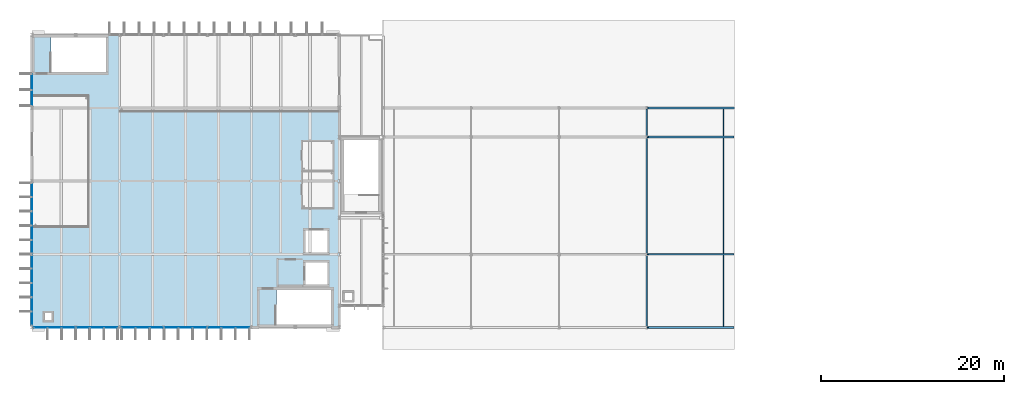
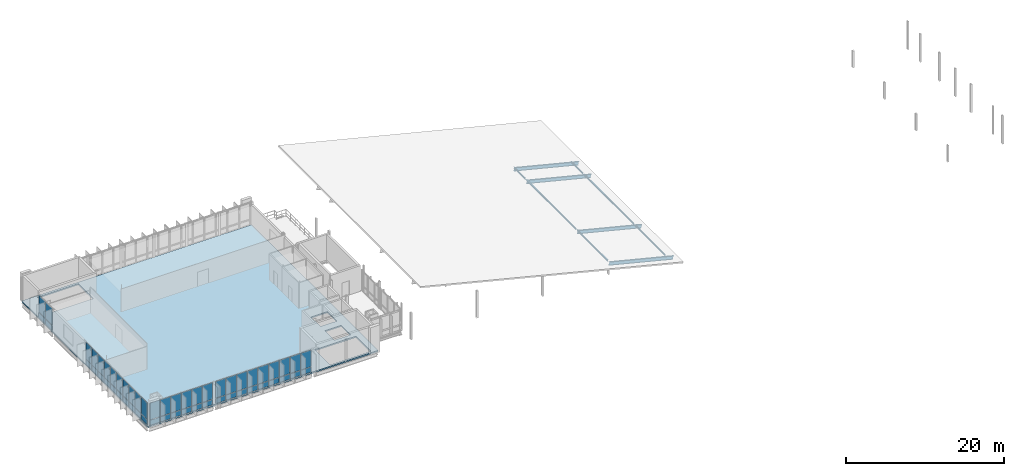
# One storey, part 12 of 22: 54 plates, 10 members, 1 slab, 4 elements without a shape of their own.
"""IFC4 building model written with IfcOpenShell, lengths in metres."""

from ifc_helpers import new_model, si_unit, direction, frame, origin, origin_2d, place, context, subcontext, project, spatial, polyline, rectangle, i_section, outline, extrude, material, layer, layer_set, material_profile, profile_set, type_object, element, aggregate, save


model = new_model("IFC4")

# Units and contexts
model_context = context("Model", 3, precision=1e-05, world=origin(), true_north=direction((0.0, 1.0)))
body_context = subcontext(model_context, "Body", "Model", "MODEL_VIEW")
ifc_project = project(units=[si_unit("LENGTHUNIT", "METRE"), si_unit("AREAUNIT", "SQUARE_METRE"), si_unit("VOLUMEUNIT", "CUBIC_METRE"), si_unit("PLANEANGLEUNIT", "RADIAN"), si_unit("MASSUNIT", "GRAM", prefix="KILO")], contexts=[model_context])

# Site, building, storey
site_placement = place(None, origin())
site = spatial("IfcSite", under=ifc_project, at=site_placement, CompositionType="ELEMENT")
building_placement = place(site_placement, origin())
building = spatial("IfcBuilding", under=site, at=building_placement, Name="Dunescarp Central Library", CompositionType="ELEMENT")
storey_placement = place(building_placement, frame((0.0, 0.0, 27.60009765625)))
storey = spatial("IfcBuildingStorey", under=building, at=storey_placement, Name="L06", CompositionType="ELEMENT", Elevation=27.60009765625)

# Members
ifc_material_1 = material(Name="Steel S355JR", Category="steel")
ifc_material_profile_1 = material_profile(ifc_material_1, i_section(OverallWidth=0.1201171875, OverallDepth=0.239990234375, WebThickness=0.006103515625, FlangeThickness=0.009765625, at=origin_2d()), Name="IPE 240")
ifc_profile_set_1 = profile_set([ifc_material_profile_1], Name="Steel S355JR")
member_type_1 = type_object("IfcMemberType", Name="STR-PR-IPE240", PredefinedType="PURLIN", material=ifc_profile_set_1)
member_1_placement = place(storey_placement, frame((67.199951171875, 4.902099609375, 2.018798828125), z_axis=(0.0, 1.0, 0.0), x_axis=(-1.0, 0.0, 0.0)))
element("IfcMember", 1, at=member_1_placement, inside=storey, type_object=member_type_1, Name="V2 roof purlin PR-V2-010", PredefinedType="PURLIN", context=body_context, shape_type="SweptSolid", body=[
    extrude(i_section(OverallWidth=0.1201171875, OverallDepth=0.239990234375, WebThickness=0.006103515625, FlangeThickness=0.009765625, at=origin_2d()), origin(), (0.0, 0.0, 1.0), 7.7958984375),
])
member_2_placement = place(storey_placement, frame((67.199951171875, 12.902099609375, 2.018798828125), z_axis=(0.0, 1.0, 0.0), x_axis=(-1.0, 0.0, 0.0)))
element("IfcMember", 2, at=member_2_placement, inside=storey, type_object=member_type_1, Name="V2 roof purlin PR-V2-011", PredefinedType="PURLIN", context=body_context, shape_type="SweptSolid", body=[
    extrude(i_section(OverallWidth=0.1201171875, OverallDepth=0.239990234375, WebThickness=0.006103515625, FlangeThickness=0.009765625, at=origin_2d()), origin(), (0.0, 0.0, 1.0), 12.595947265625),
])
member_3_placement = place(storey_placement, frame((67.199951171875, 25.701904296875, 2.018798828125), z_axis=(0.0, 1.0, 0.0), x_axis=(-1.0, 0.0, 0.0)))
element("IfcMember", 3, at=member_3_placement, inside=storey, type_object=member_type_1, Name="V2 roof purlin PR-V2-012", PredefinedType="PURLIN", context=body_context, shape_type="SweptSolid", body=[
    extrude(i_section(OverallWidth=0.1201171875, OverallDepth=0.239990234375, WebThickness=0.006103515625, FlangeThickness=0.009765625, at=origin_2d()), origin(), (0.0, 0.0, 1.0), 2.99609375),
])
member_4_placement = place(storey_placement, frame((75.60009765625, 4.902099609375, -0.0810546875), z_axis=(0.0, 1.0, 0.0), x_axis=(-1.0, 0.0, 0.0)))
element("IfcMember", 4, at=member_4_placement, inside=storey, type_object=member_type_1, Name="V2 roof purlin PR-V2-013", PredefinedType="PURLIN", context=body_context, shape_type="SweptSolid", body=[
    extrude(i_section(OverallWidth=0.1201171875, OverallDepth=0.239990234375, WebThickness=0.006103515625, FlangeThickness=0.009765625, at=origin_2d()), origin(), (0.0, 0.0, 1.0), 7.7958984375),
])
member_5_placement = place(storey_placement, frame((75.60009765625, 12.902099609375, -0.0810546875), z_axis=(0.0, 1.0, 0.0), x_axis=(-1.0, 0.0, 0.0)))
element("IfcMember", 5, at=member_5_placement, inside=storey, type_object=member_type_1, Name="V2 roof purlin PR-V2-014", PredefinedType="PURLIN", context=body_context, shape_type="SweptSolid", body=[
    extrude(i_section(OverallWidth=0.1201171875, OverallDepth=0.239990234375, WebThickness=0.006103515625, FlangeThickness=0.009765625, at=origin_2d()), origin(), (0.0, 0.0, 1.0), 12.595947265625),
])
member_6_placement = place(storey_placement, frame((75.60009765625, 25.701904296875, -0.0810546875), z_axis=(0.0, 1.0, 0.0), x_axis=(-1.0, 0.0, 0.0)))
element("IfcMember", 6, at=member_6_placement, inside=storey, type_object=member_type_1, Name="V2 roof purlin PR-V2-015", PredefinedType="PURLIN", context=body_context, shape_type="SweptSolid", body=[
    extrude(i_section(OverallWidth=0.1201171875, OverallDepth=0.239990234375, WebThickness=0.006103515625, FlangeThickness=0.009765625, at=origin_2d()), origin(), (0.0, 0.0, 1.0), 2.99609375),
])
ifc_material_profile_2 = material_profile(ifc_material_1, i_section(OverallWidth=0.209228515625, OverallDepth=0.533203125, WebThickness=0.010009765625, FlangeThickness=0.015625, at=origin_2d()), Name="UB 533x210x92")
ifc_profile_set_2 = profile_set([ifc_material_profile_2], Name="Steel S355JR")
member_type_2 = type_object("IfcMemberType", Name="STR-RF-UB533", PredefinedType="RAFTER", material=ifc_profile_set_2)
for number, where, z_axis, x_axis, name in (
    (7, (67.31591796875, 4.800048828125, 1.60693359375), (0.970142500145, 0.0, -0.242535625036), (0.0, 1.0, 0.0), "V2 raked roof rafter RFT-V2-004"),
    (8, (67.31591796875, 12.800048828125, 1.60693359375), (0.970142500145, 0.0, -0.242535625036), (0.0, 1.0, 0.0), "V2 raked roof rafter RFT-V2-008"),
    (9, (67.31591796875, 25.60009765625, 1.60693359375), (0.970142500145, 0.0, -0.242535625036), (0.0, 1.0, 0.0), "V2 raked roof rafter RFT-V2-012"),
):
    element("IfcMember", number, at=place(storey_placement, frame(where, z_axis=z_axis, x_axis=x_axis)), inside=storey, type_object=member_type_2, Name=name, PredefinedType="RAFTER", context=body_context, shape_type="SweptSolid", body=[
        extrude(i_section(OverallWidth=0.209228515625, OverallDepth=0.533203125, WebThickness=0.010009765625, FlangeThickness=0.015625, at=origin_2d()), origin(), (0.0, 0.0, 1.0), 9.656494140625),
    ])
member_7_placement = place(storey_placement, frame((67.2880859375, 28.800048828125, 1.614013671875), z_axis=(0.970136586193, 0.0, -0.24255927962), x_axis=(0.0, 1.0, 0.0)))
element("IfcMember", 10, at=member_7_placement, inside=storey, type_object=member_type_2, Name="V2 raked roof rafter RFT-V2-016", PredefinedType="RAFTER", context=body_context, shape_type="SweptSolid", body=[
    extrude(i_section(OverallWidth=0.209228515625, OverallDepth=0.533203125, WebThickness=0.010009765625, FlangeThickness=0.015625, at=origin_2d()), origin(), (0.0, 0.0, 1.0), 9.7138671875),
])

# Curtain wall, plates
ifc_material_2 = material(Name="Marine-grade anodised aluminium 6063-T6", Category="aluminium")
curtain_wall_type = type_object("IfcCurtainWallType", Name="ARC-CW-STICK", PredefinedType="NOTDEFINED", material=ifc_material_2)
curtain_wall_1_placement = place(storey_placement, origin())
curtain_wall_1 = element("IfcCurtainWall", 11, at=curtain_wall_1_placement, inside=storey, type_object=curtain_wall_type, Name="L06 curtain wall CW-V1-038", PredefinedType="NOTDEFINED")
ifc_material_3 = material(Name="Solar-control laminated double glazing", Category="glass")
ifc_layer_1 = layer(ifc_material_3, 0.028076171875)
ifc_layer_set_1 = layer_set([ifc_layer_1], Name="Solar-control laminated double glazing")
plate_type_1 = type_object("IfcPlateType", Name="ARC-PLT-GLZ28", PredefinedType="CURTAIN_PANEL", material=ifc_layer_set_1)
plate_1_placement = place(storey_placement, frame((8.63427734375, 4.800048828125, 0.93994140625), z_axis=(0.0, 0.0, 1.0), x_axis=(-1.0, 0.0, 0.0)))
plate_1 = element("IfcPlate", 12, at=plate_1_placement, type_object=plate_type_1, Name="CW-V1-038 panel 1.2", PredefinedType="CURTAIN_PANEL", context=body_context, shape_type="SweptSolid", body=[
    extrude(rectangle(XDim=1.421630859375, YDim=0.028076171875, at=origin_2d()), origin(), (0.0, 0.0, 1.0), 2.554931640625),
])
plate_2_placement = place(storey_placement, frame((7.112548828125, 4.800048828125, 0.93994140625), z_axis=(0.0, 0.0, 1.0), x_axis=(-1.0, 0.0, 0.0)))
plate_2 = element("IfcPlate", 13, at=plate_2_placement, type_object=plate_type_1, Name="CW-V1-038 panel 2.2", PredefinedType="CURTAIN_PANEL", context=body_context, shape_type="SweptSolid", body=[
    extrude(rectangle(XDim=1.461669921875, YDim=0.028076171875, at=origin_2d()), origin(), (0.0, 0.0, 1.0), 2.554931640625),
])
plate_3_placement = place(storey_placement, frame((5.57080078125, 4.800048828125, 0.93994140625), z_axis=(0.0, 0.0, 1.0), x_axis=(-1.0, 0.0, 0.0)))
plate_3 = element("IfcPlate", 14, at=plate_3_placement, type_object=plate_type_1, Name="CW-V1-038 panel 3.2", PredefinedType="CURTAIN_PANEL", context=body_context, shape_type="SweptSolid", body=[
    extrude(rectangle(XDim=1.461669921875, YDim=0.028076171875, at=origin_2d()), origin(), (0.0, 0.0, 1.0), 2.554931640625),
])
plate_4_placement = place(storey_placement, frame((4.029052734375, 4.800048828125, 0.93994140625), z_axis=(0.0, 0.0, 1.0), x_axis=(-1.0, 0.0, 0.0)))
plate_4 = element("IfcPlate", 15, at=plate_4_placement, type_object=plate_type_1, Name="CW-V1-038 panel 4.2", PredefinedType="CURTAIN_PANEL", context=body_context, shape_type="SweptSolid", body=[
    extrude(rectangle(XDim=1.461669921875, YDim=0.028076171875, at=origin_2d()), origin(), (0.0, 0.0, 1.0), 2.554931640625),
])
plate_5_placement = place(storey_placement, frame((2.487548828125, 4.800048828125, 0.93994140625), z_axis=(0.0, 0.0, 1.0), x_axis=(-1.0, 0.0, 0.0)))
plate_5 = element("IfcPlate", 16, at=plate_5_placement, type_object=plate_type_1, Name="CW-V1-038 panel 5.2", PredefinedType="CURTAIN_PANEL", context=body_context, shape_type="SweptSolid", body=[
    extrude(rectangle(XDim=1.461669921875, YDim=0.028076171875, at=origin_2d()), origin(), (0.0, 0.0, 1.0), 2.554931640625),
])
plate_6_placement = place(storey_placement, frame((0.9658203125, 4.800048828125, 0.93994140625), z_axis=(0.0, 0.0, 1.0), x_axis=(-1.0, 0.0, 0.0)))
plate_6 = element("IfcPlate", 17, at=plate_6_placement, type_object=plate_type_1, Name="CW-V1-038 panel 6.2", PredefinedType="CURTAIN_PANEL", context=body_context, shape_type="SweptSolid", body=[
    extrude(rectangle(XDim=1.421630859375, YDim=0.028076171875, at=origin_2d()), origin(), (0.0, 0.0, 1.0), 2.554931640625),
])

curtain_wall_2_placement = place(storey_placement, origin())
curtain_wall_2 = element("IfcCurtainWall", 18, at=curtain_wall_2_placement, inside=storey, type_object=curtain_wall_type, Name="L06 curtain wall CW-V1-039", PredefinedType="NOTDEFINED")
plate_7_placement = place(storey_placement, frame((23.0244140625, 4.800048828125, 0.93994140625), z_axis=(0.0, 0.0, 1.0), x_axis=(-1.0, 0.0, 0.0)))
plate_7 = element("IfcPlate", 19, at=plate_7_placement, type_object=plate_type_1, Name="CW-V1-039 panel 1.2", PredefinedType="CURTAIN_PANEL", context=body_context, shape_type="SweptSolid", body=[
    extrude(rectangle(XDim=1.441162109375, YDim=0.028076171875, at=origin_2d()), origin(), (0.0, 0.0, 1.0), 2.554931640625),
])
plate_8_placement = place(storey_placement, frame((21.4833984375, 4.800048828125, 0.93994140625), z_axis=(0.0, 0.0, 1.0), x_axis=(-1.0, 0.0, 0.0)))
plate_8 = element("IfcPlate", 20, at=plate_8_placement, type_object=plate_type_1, Name="CW-V1-039 panel 2.2", PredefinedType="CURTAIN_PANEL", context=body_context, shape_type="SweptSolid", body=[
    extrude(rectangle(XDim=1.481201171875, YDim=0.028076171875, at=origin_2d()), origin(), (0.0, 0.0, 1.0), 2.554931640625),
])
plate_9_placement = place(storey_placement, frame((19.922119140625, 4.800048828125, 0.93994140625), z_axis=(0.0, 0.0, 1.0), x_axis=(-1.0, 0.0, 0.0)))
plate_9 = element("IfcPlate", 21, at=plate_9_placement, type_object=plate_type_1, Name="CW-V1-039 panel 3.2", PredefinedType="CURTAIN_PANEL", context=body_context, shape_type="SweptSolid", body=[
    extrude(rectangle(XDim=1.481201171875, YDim=0.028076171875, at=origin_2d()), origin(), (0.0, 0.0, 1.0), 2.554931640625),
])
plate_10_placement = place(storey_placement, frame((18.361083984375, 4.800048828125, 0.93994140625), z_axis=(0.0, 0.0, 1.0), x_axis=(-1.0, 0.0, 0.0)))
plate_10 = element("IfcPlate", 22, at=plate_10_placement, type_object=plate_type_1, Name="CW-V1-039 panel 4.2", PredefinedType="CURTAIN_PANEL", context=body_context, shape_type="SweptSolid", body=[
    extrude(rectangle(XDim=1.481201171875, YDim=0.028076171875, at=origin_2d()), origin(), (0.0, 0.0, 1.0), 2.554931640625),
])
plate_11_placement = place(storey_placement, frame((16.800048828125, 4.800048828125, 0.93994140625), z_axis=(0.0, 0.0, 1.0), x_axis=(-1.0, 0.0, 0.0)))
plate_11 = element("IfcPlate", 23, at=plate_11_placement, type_object=plate_type_1, Name="CW-V1-039 panel 5.2", PredefinedType="CURTAIN_PANEL", context=body_context, shape_type="SweptSolid", body=[
    extrude(rectangle(XDim=1.481201171875, YDim=0.028076171875, at=origin_2d()), origin(), (0.0, 0.0, 1.0), 2.554931640625),
])
plate_12_placement = place(storey_placement, frame((15.23876953125, 4.800048828125, 0.93994140625), z_axis=(0.0, 0.0, 1.0), x_axis=(-1.0, 0.0, 0.0)))
plate_12 = element("IfcPlate", 24, at=plate_12_placement, type_object=plate_type_1, Name="CW-V1-039 panel 6.2", PredefinedType="CURTAIN_PANEL", context=body_context, shape_type="SweptSolid", body=[
    extrude(rectangle(XDim=1.481201171875, YDim=0.028076171875, at=origin_2d()), origin(), (0.0, 0.0, 1.0), 2.554931640625),
])
plate_13_placement = place(storey_placement, frame((13.677734375, 4.800048828125, 0.93994140625), z_axis=(0.0, 0.0, 1.0), x_axis=(-1.0, 0.0, 0.0)))
plate_13 = element("IfcPlate", 25, at=plate_13_placement, type_object=plate_type_1, Name="CW-V1-039 panel 7.2", PredefinedType="CURTAIN_PANEL", context=body_context, shape_type="SweptSolid", body=[
    extrude(rectangle(XDim=1.481201171875, YDim=0.028076171875, at=origin_2d()), origin(), (0.0, 0.0, 1.0), 2.554931640625),
])
plate_14_placement = place(storey_placement, frame((12.11669921875, 4.800048828125, 0.93994140625), z_axis=(0.0, 0.0, 1.0), x_axis=(-1.0, 0.0, 0.0)))
plate_14 = element("IfcPlate", 26, at=plate_14_placement, type_object=plate_type_1, Name="CW-V1-039 panel 8.2", PredefinedType="CURTAIN_PANEL", context=body_context, shape_type="SweptSolid", body=[
    extrude(rectangle(XDim=1.481201171875, YDim=0.028076171875, at=origin_2d()), origin(), (0.0, 0.0, 1.0), 2.554931640625),
])
plate_15_placement = place(storey_placement, frame((10.575439453125, 4.800048828125, 0.93994140625), z_axis=(0.0, 0.0, 1.0), x_axis=(-1.0, 0.0, 0.0)))
plate_15 = element("IfcPlate", 27, at=plate_15_placement, type_object=plate_type_1, Name="CW-V1-039 panel 9.2", PredefinedType="CURTAIN_PANEL", context=body_context, shape_type="SweptSolid", body=[
    extrude(rectangle(XDim=1.441162109375, YDim=0.028076171875, at=origin_2d()), origin(), (0.0, 0.0, 1.0), 2.554931640625),
])

curtain_wall_3_placement = place(storey_placement, origin())
curtain_wall_3 = element("IfcCurtainWall", 28, at=curtain_wall_3_placement, inside=storey, type_object=curtain_wall_type, Name="L06 curtain wall CW-V1-042", PredefinedType="NOTDEFINED")
plate_16_placement = place(storey_placement, frame((0.0, 5.777587890625, 0.93994140625), z_axis=(0.0, 0.0, 1.0), x_axis=(0.0, 1.0, 0.0)))
plate_16 = element("IfcPlate", 29, at=plate_16_placement, type_object=plate_type_1, Name="CW-V1-042 panel 1.2", PredefinedType="CURTAIN_PANEL", context=body_context, shape_type="SweptSolid", body=[
    extrude(rectangle(XDim=1.445068359375, YDim=0.028076171875, at=origin_2d()), origin(), (0.0, 0.0, 1.0), 2.554931640625),
])
plate_17_placement = place(storey_placement, frame((0.0, 7.322509765625, 0.93994140625), z_axis=(0.0, 0.0, 1.0), x_axis=(0.0, 1.0, 0.0)))
plate_17 = element("IfcPlate", 30, at=plate_17_placement, type_object=plate_type_1, Name="CW-V1-042 panel 2.2", PredefinedType="CURTAIN_PANEL", context=body_context, shape_type="SweptSolid", body=[
    extrude(rectangle(XDim=1.485107421875, YDim=0.028076171875, at=origin_2d()), origin(), (0.0, 0.0, 1.0), 2.554931640625),
])
plate_18_placement = place(storey_placement, frame((0.0, 8.887451171875, 0.93994140625), z_axis=(0.0, 0.0, 1.0), x_axis=(0.0, 1.0, 0.0)))
plate_18 = element("IfcPlate", 31, at=plate_18_placement, type_object=plate_type_1, Name="CW-V1-042 panel 3.2", PredefinedType="CURTAIN_PANEL", context=body_context, shape_type="SweptSolid", body=[
    extrude(rectangle(XDim=1.485107421875, YDim=0.028076171875, at=origin_2d()), origin(), (0.0, 0.0, 1.0), 2.554931640625),
])
plate_19_placement = place(storey_placement, frame((0.0, 10.452392578125, 0.93994140625), z_axis=(0.0, 0.0, 1.0), x_axis=(0.0, 1.0, 0.0)))
plate_19 = element("IfcPlate", 32, at=plate_19_placement, type_object=plate_type_1, Name="CW-V1-042 panel 4.2", PredefinedType="CURTAIN_PANEL", context=body_context, shape_type="SweptSolid", body=[
    extrude(rectangle(XDim=1.485107421875, YDim=0.028076171875, at=origin_2d()), origin(), (0.0, 0.0, 1.0), 2.554931640625),
])
plate_20_placement = place(storey_placement, frame((0.0, 12.017578125, 0.93994140625), z_axis=(0.0, 0.0, 1.0), x_axis=(0.0, 1.0, 0.0)))
plate_20 = element("IfcPlate", 33, at=plate_20_placement, type_object=plate_type_1, Name="CW-V1-042 panel 5.2", PredefinedType="CURTAIN_PANEL", context=body_context, shape_type="SweptSolid", body=[
    extrude(rectangle(XDim=1.485107421875, YDim=0.028076171875, at=origin_2d()), origin(), (0.0, 0.0, 1.0), 2.554931640625),
])
plate_21_placement = place(storey_placement, frame((0.0, 13.58251953125, 0.93994140625), z_axis=(0.0, 0.0, 1.0), x_axis=(0.0, 1.0, 0.0)))
plate_21 = element("IfcPlate", 34, at=plate_21_placement, type_object=plate_type_1, Name="CW-V1-042 panel 6.2", PredefinedType="CURTAIN_PANEL", context=body_context, shape_type="SweptSolid", body=[
    extrude(rectangle(XDim=1.485107421875, YDim=0.028076171875, at=origin_2d()), origin(), (0.0, 0.0, 1.0), 2.554931640625),
])
plate_22_placement = place(storey_placement, frame((0.0, 15.1474609375, 0.93994140625), z_axis=(0.0, 0.0, 1.0), x_axis=(0.0, 1.0, 0.0)))
plate_22 = element("IfcPlate", 35, at=plate_22_placement, type_object=plate_type_1, Name="CW-V1-042 panel 7.2", PredefinedType="CURTAIN_PANEL", context=body_context, shape_type="SweptSolid", body=[
    extrude(rectangle(XDim=1.485107421875, YDim=0.028076171875, at=origin_2d()), origin(), (0.0, 0.0, 1.0), 2.554931640625),
])
plate_23_placement = place(storey_placement, frame((0.0, 16.71240234375, 0.93994140625), z_axis=(0.0, 0.0, 1.0), x_axis=(0.0, 1.0, 0.0)))
plate_23 = element("IfcPlate", 36, at=plate_23_placement, type_object=plate_type_1, Name="CW-V1-042 panel 8.2", PredefinedType="CURTAIN_PANEL", context=body_context, shape_type="SweptSolid", body=[
    extrude(rectangle(XDim=1.485107421875, YDim=0.028076171875, at=origin_2d()), origin(), (0.0, 0.0, 1.0), 2.554931640625),
])
plate_24_placement = place(storey_placement, frame((0.0, 18.277587890625, 0.93994140625), z_axis=(0.0, 0.0, 1.0), x_axis=(0.0, 1.0, 0.0)))
plate_24 = element("IfcPlate", 37, at=plate_24_placement, type_object=plate_type_1, Name="CW-V1-042 panel 9.2", PredefinedType="CURTAIN_PANEL", context=body_context, shape_type="SweptSolid", body=[
    extrude(rectangle(XDim=1.485107421875, YDim=0.028076171875, at=origin_2d()), origin(), (0.0, 0.0, 1.0), 2.554931640625),
])
plate_25_placement = place(storey_placement, frame((0.0, 19.822509765625, 0.93994140625), z_axis=(0.0, 0.0, 1.0), x_axis=(0.0, 1.0, 0.0)))
plate_25 = element("IfcPlate", 38, at=plate_25_placement, type_object=plate_type_1, Name="CW-V1-042 panel 10.2", PredefinedType="CURTAIN_PANEL", context=body_context, shape_type="SweptSolid", body=[
    extrude(rectangle(XDim=1.445068359375, YDim=0.028076171875, at=origin_2d()), origin(), (0.0, 0.0, 1.0), 2.554931640625),
])

curtain_wall_4_placement = place(storey_placement, origin())
curtain_wall_4 = element("IfcCurtainWall", 39, at=curtain_wall_4_placement, inside=storey, type_object=curtain_wall_type, Name="L06 curtain wall CW-V1-043", PredefinedType="NOTDEFINED")
plate_26_placement = place(storey_placement, frame((0.0, 29.888671875, 0.93994140625), z_axis=(0.0, 0.0, 1.0), x_axis=(0.0, 1.0, 0.0)))
plate_26 = element("IfcPlate", 40, at=plate_26_placement, type_object=plate_type_1, Name="CW-V1-043 panel 1.2", PredefinedType="CURTAIN_PANEL", context=body_context, shape_type="SweptSolid", body=[
    extrude(rectangle(XDim=1.66748046875, YDim=0.028076171875, at=origin_2d()), origin(), (0.0, 0.0, 1.0), 2.554931640625),
])
plate_27_placement = place(storey_placement, frame((0.0, 31.63623046875, 0.93994140625), z_axis=(0.0, 0.0, 1.0), x_axis=(0.0, 1.0, 0.0)))
plate_27 = element("IfcPlate", 41, at=plate_27_placement, type_object=plate_type_1, Name="CW-V1-043 panel 2.2", PredefinedType="CURTAIN_PANEL", context=body_context, shape_type="SweptSolid", body=[
    extrude(rectangle(XDim=1.66748046875, YDim=0.028076171875, at=origin_2d()), origin(), (0.0, 0.0, 1.0), 2.554931640625),
])

# Plate
ifc_layer_2 = layer(ifc_material_2, 0.050048828125)
ifc_layer_set_2 = layer_set([ifc_layer_2], Name="Marine-grade anodised aluminium 6063-T6")
plate_type_2 = type_object("IfcPlateType", Name="ARC-PLT-SPN50", PredefinedType="SHEET", material=ifc_layer_set_2)
plate_28_placement = place(storey_placement, frame((8.63427734375, 4.800048828125, 0.080078125), z_axis=(0.0, 0.0, 1.0), x_axis=(-1.0, 0.0, 0.0)))
plate_28 = element("IfcPlate", 42, at=plate_28_placement, type_object=plate_type_2, Name="CW-V1-038 panel 1.1", PredefinedType="SHEET", context=body_context, shape_type="SweptSolid", body=[
    extrude(rectangle(XDim=1.421630859375, YDim=0.050048828125, at=origin_2d()), origin(), (0.0, 0.0, 1.0), 0.780029296875),
])

plate_29_placement = place(storey_placement, frame((7.112548828125, 4.800048828125, 0.080078125), z_axis=(0.0, 0.0, 1.0), x_axis=(-1.0, 0.0, 0.0)))
plate_29 = element("IfcPlate", 43, at=plate_29_placement, type_object=plate_type_2, Name="CW-V1-038 panel 2.1", PredefinedType="SHEET", context=body_context, shape_type="SweptSolid", body=[
    extrude(rectangle(XDim=1.461669921875, YDim=0.050048828125, at=origin_2d()), origin(), (0.0, 0.0, 1.0), 0.780029296875),
])

plate_30_placement = place(storey_placement, frame((5.57080078125, 4.800048828125, 0.080078125), z_axis=(0.0, 0.0, 1.0), x_axis=(-1.0, 0.0, 0.0)))
plate_30 = element("IfcPlate", 44, at=plate_30_placement, type_object=plate_type_2, Name="CW-V1-038 panel 3.1", PredefinedType="SHEET", context=body_context, shape_type="SweptSolid", body=[
    extrude(rectangle(XDim=1.461669921875, YDim=0.050048828125, at=origin_2d()), origin(), (0.0, 0.0, 1.0), 0.780029296875),
])

plate_31_placement = place(storey_placement, frame((4.029052734375, 4.800048828125, 0.080078125), z_axis=(0.0, 0.0, 1.0), x_axis=(-1.0, 0.0, 0.0)))
plate_31 = element("IfcPlate", 45, at=plate_31_placement, type_object=plate_type_2, Name="CW-V1-038 panel 4.1", PredefinedType="SHEET", context=body_context, shape_type="SweptSolid", body=[
    extrude(rectangle(XDim=1.461669921875, YDim=0.050048828125, at=origin_2d()), origin(), (0.0, 0.0, 1.0), 0.780029296875),
])

plate_32_placement = place(storey_placement, frame((2.487548828125, 4.800048828125, 0.080078125), z_axis=(0.0, 0.0, 1.0), x_axis=(-1.0, 0.0, 0.0)))
plate_32 = element("IfcPlate", 46, at=plate_32_placement, type_object=plate_type_2, Name="CW-V1-038 panel 5.1", PredefinedType="SHEET", context=body_context, shape_type="SweptSolid", body=[
    extrude(rectangle(XDim=1.461669921875, YDim=0.050048828125, at=origin_2d()), origin(), (0.0, 0.0, 1.0), 0.780029296875),
])

plate_33_placement = place(storey_placement, frame((0.9658203125, 4.800048828125, 0.080078125), z_axis=(0.0, 0.0, 1.0), x_axis=(-1.0, 0.0, 0.0)))
plate_33 = element("IfcPlate", 47, at=plate_33_placement, type_object=plate_type_2, Name="CW-V1-038 panel 6.1", PredefinedType="SHEET", context=body_context, shape_type="SweptSolid", body=[
    extrude(rectangle(XDim=1.421630859375, YDim=0.050048828125, at=origin_2d()), origin(), (0.0, 0.0, 1.0), 0.780029296875),
])

aggregate(curtain_wall_1, [plate_28, plate_1, plate_29, plate_2, plate_30, plate_3, plate_31, plate_4, plate_32, plate_5, plate_33, plate_6])

plate_34_placement = place(storey_placement, frame((23.0244140625, 4.800048828125, 0.080078125), z_axis=(0.0, 0.0, 1.0), x_axis=(-1.0, 0.0, 0.0)))
plate_34 = element("IfcPlate", 48, at=plate_34_placement, type_object=plate_type_2, Name="CW-V1-039 panel 1.1", PredefinedType="SHEET", context=body_context, shape_type="SweptSolid", body=[
    extrude(rectangle(XDim=1.441162109375, YDim=0.050048828125, at=origin_2d()), origin(), (0.0, 0.0, 1.0), 0.780029296875),
])

plate_35_placement = place(storey_placement, frame((21.4833984375, 4.800048828125, 0.080078125), z_axis=(0.0, 0.0, 1.0), x_axis=(-1.0, 0.0, 0.0)))
plate_35 = element("IfcPlate", 49, at=plate_35_placement, type_object=plate_type_2, Name="CW-V1-039 panel 2.1", PredefinedType="SHEET", context=body_context, shape_type="SweptSolid", body=[
    extrude(rectangle(XDim=1.481201171875, YDim=0.050048828125, at=origin_2d()), origin(), (0.0, 0.0, 1.0), 0.780029296875),
])

plate_36_placement = place(storey_placement, frame((19.922119140625, 4.800048828125, 0.080078125), z_axis=(0.0, 0.0, 1.0), x_axis=(-1.0, 0.0, 0.0)))
plate_36 = element("IfcPlate", 50, at=plate_36_placement, type_object=plate_type_2, Name="CW-V1-039 panel 3.1", PredefinedType="SHEET", context=body_context, shape_type="SweptSolid", body=[
    extrude(rectangle(XDim=1.481201171875, YDim=0.050048828125, at=origin_2d()), origin(), (0.0, 0.0, 1.0), 0.780029296875),
])

plate_37_placement = place(storey_placement, frame((18.361083984375, 4.800048828125, 0.080078125), z_axis=(0.0, 0.0, 1.0), x_axis=(-1.0, 0.0, 0.0)))
plate_37 = element("IfcPlate", 51, at=plate_37_placement, type_object=plate_type_2, Name="CW-V1-039 panel 4.1", PredefinedType="SHEET", context=body_context, shape_type="SweptSolid", body=[
    extrude(rectangle(XDim=1.481201171875, YDim=0.050048828125, at=origin_2d()), origin(), (0.0, 0.0, 1.0), 0.780029296875),
])

plate_38_placement = place(storey_placement, frame((16.800048828125, 4.800048828125, 0.080078125), z_axis=(0.0, 0.0, 1.0), x_axis=(-1.0, 0.0, 0.0)))
plate_38 = element("IfcPlate", 52, at=plate_38_placement, type_object=plate_type_2, Name="CW-V1-039 panel 5.1", PredefinedType="SHEET", context=body_context, shape_type="SweptSolid", body=[
    extrude(rectangle(XDim=1.481201171875, YDim=0.050048828125, at=origin_2d()), origin(), (0.0, 0.0, 1.0), 0.780029296875),
])

plate_39_placement = place(storey_placement, frame((15.23876953125, 4.800048828125, 0.080078125), z_axis=(0.0, 0.0, 1.0), x_axis=(-1.0, 0.0, 0.0)))
plate_39 = element("IfcPlate", 53, at=plate_39_placement, type_object=plate_type_2, Name="CW-V1-039 panel 6.1", PredefinedType="SHEET", context=body_context, shape_type="SweptSolid", body=[
    extrude(rectangle(XDim=1.481201171875, YDim=0.050048828125, at=origin_2d()), origin(), (0.0, 0.0, 1.0), 0.780029296875),
])

plate_40_placement = place(storey_placement, frame((13.677734375, 4.800048828125, 0.080078125), z_axis=(0.0, 0.0, 1.0), x_axis=(-1.0, 0.0, 0.0)))
plate_40 = element("IfcPlate", 54, at=plate_40_placement, type_object=plate_type_2, Name="CW-V1-039 panel 7.1", PredefinedType="SHEET", context=body_context, shape_type="SweptSolid", body=[
    extrude(rectangle(XDim=1.481201171875, YDim=0.050048828125, at=origin_2d()), origin(), (0.0, 0.0, 1.0), 0.780029296875),
])

plate_41_placement = place(storey_placement, frame((12.11669921875, 4.800048828125, 0.080078125), z_axis=(0.0, 0.0, 1.0), x_axis=(-1.0, 0.0, 0.0)))
plate_41 = element("IfcPlate", 55, at=plate_41_placement, type_object=plate_type_2, Name="CW-V1-039 panel 8.1", PredefinedType="SHEET", context=body_context, shape_type="SweptSolid", body=[
    extrude(rectangle(XDim=1.481201171875, YDim=0.050048828125, at=origin_2d()), origin(), (0.0, 0.0, 1.0), 0.780029296875),
])

plate_42_placement = place(storey_placement, frame((10.575439453125, 4.800048828125, 0.080078125), z_axis=(0.0, 0.0, 1.0), x_axis=(-1.0, 0.0, 0.0)))
plate_42 = element("IfcPlate", 56, at=plate_42_placement, type_object=plate_type_2, Name="CW-V1-039 panel 9.1", PredefinedType="SHEET", context=body_context, shape_type="SweptSolid", body=[
    extrude(rectangle(XDim=1.441162109375, YDim=0.050048828125, at=origin_2d()), origin(), (0.0, 0.0, 1.0), 0.780029296875),
])

aggregate(curtain_wall_2, [plate_34, plate_7, plate_35, plate_8, plate_36, plate_9, plate_37, plate_10, plate_38, plate_11, plate_39, plate_12, plate_40, plate_13, plate_41, plate_14, plate_42, plate_15])

plate_43_placement = place(storey_placement, frame((0.0, 5.777587890625, 0.080078125), z_axis=(0.0, 0.0, 1.0), x_axis=(0.0, 1.0, 0.0)))
plate_43 = element("IfcPlate", 57, at=plate_43_placement, type_object=plate_type_2, Name="CW-V1-042 panel 1.1", PredefinedType="SHEET", context=body_context, shape_type="SweptSolid", body=[
    extrude(rectangle(XDim=1.445068359375, YDim=0.050048828125, at=origin_2d()), origin(), (0.0, 0.0, 1.0), 0.780029296875),
])

plate_44_placement = place(storey_placement, frame((0.0, 7.322509765625, 0.080078125), z_axis=(0.0, 0.0, 1.0), x_axis=(0.0, 1.0, 0.0)))
plate_44 = element("IfcPlate", 58, at=plate_44_placement, type_object=plate_type_2, Name="CW-V1-042 panel 2.1", PredefinedType="SHEET", context=body_context, shape_type="SweptSolid", body=[
    extrude(rectangle(XDim=1.485107421875, YDim=0.050048828125, at=origin_2d()), origin(), (0.0, 0.0, 1.0), 0.780029296875),
])

plate_45_placement = place(storey_placement, frame((0.0, 8.887451171875, 0.080078125), z_axis=(0.0, 0.0, 1.0), x_axis=(0.0, 1.0, 0.0)))
plate_45 = element("IfcPlate", 59, at=plate_45_placement, type_object=plate_type_2, Name="CW-V1-042 panel 3.1", PredefinedType="SHEET", context=body_context, shape_type="SweptSolid", body=[
    extrude(rectangle(XDim=1.485107421875, YDim=0.050048828125, at=origin_2d()), origin(), (0.0, 0.0, 1.0), 0.780029296875),
])

plate_46_placement = place(storey_placement, frame((0.0, 10.452392578125, 0.080078125), z_axis=(0.0, 0.0, 1.0), x_axis=(0.0, 1.0, 0.0)))
plate_46 = element("IfcPlate", 60, at=plate_46_placement, type_object=plate_type_2, Name="CW-V1-042 panel 4.1", PredefinedType="SHEET", context=body_context, shape_type="SweptSolid", body=[
    extrude(rectangle(XDim=1.485107421875, YDim=0.050048828125, at=origin_2d()), origin(), (0.0, 0.0, 1.0), 0.780029296875),
])

plate_47_placement = place(storey_placement, frame((0.0, 12.017578125, 0.080078125), z_axis=(0.0, 0.0, 1.0), x_axis=(0.0, 1.0, 0.0)))
plate_47 = element("IfcPlate", 61, at=plate_47_placement, type_object=plate_type_2, Name="CW-V1-042 panel 5.1", PredefinedType="SHEET", context=body_context, shape_type="SweptSolid", body=[
    extrude(rectangle(XDim=1.485107421875, YDim=0.050048828125, at=origin_2d()), origin(), (0.0, 0.0, 1.0), 0.780029296875),
])

plate_48_placement = place(storey_placement, frame((0.0, 13.58251953125, 0.080078125), z_axis=(0.0, 0.0, 1.0), x_axis=(0.0, 1.0, 0.0)))
plate_48 = element("IfcPlate", 62, at=plate_48_placement, type_object=plate_type_2, Name="CW-V1-042 panel 6.1", PredefinedType="SHEET", context=body_context, shape_type="SweptSolid", body=[
    extrude(rectangle(XDim=1.485107421875, YDim=0.050048828125, at=origin_2d()), origin(), (0.0, 0.0, 1.0), 0.780029296875),
])

plate_49_placement = place(storey_placement, frame((0.0, 15.1474609375, 0.080078125), z_axis=(0.0, 0.0, 1.0), x_axis=(0.0, 1.0, 0.0)))
plate_49 = element("IfcPlate", 63, at=plate_49_placement, type_object=plate_type_2, Name="CW-V1-042 panel 7.1", PredefinedType="SHEET", context=body_context, shape_type="SweptSolid", body=[
    extrude(rectangle(XDim=1.485107421875, YDim=0.050048828125, at=origin_2d()), origin(), (0.0, 0.0, 1.0), 0.780029296875),
])

plate_50_placement = place(storey_placement, frame((0.0, 16.71240234375, 0.080078125), z_axis=(0.0, 0.0, 1.0), x_axis=(0.0, 1.0, 0.0)))
plate_50 = element("IfcPlate", 64, at=plate_50_placement, type_object=plate_type_2, Name="CW-V1-042 panel 8.1", PredefinedType="SHEET", context=body_context, shape_type="SweptSolid", body=[
    extrude(rectangle(XDim=1.485107421875, YDim=0.050048828125, at=origin_2d()), origin(), (0.0, 0.0, 1.0), 0.780029296875),
])

plate_51_placement = place(storey_placement, frame((0.0, 18.277587890625, 0.080078125), z_axis=(0.0, 0.0, 1.0), x_axis=(0.0, 1.0, 0.0)))
plate_51 = element("IfcPlate", 65, at=plate_51_placement, type_object=plate_type_2, Name="CW-V1-042 panel 9.1", PredefinedType="SHEET", context=body_context, shape_type="SweptSolid", body=[
    extrude(rectangle(XDim=1.485107421875, YDim=0.050048828125, at=origin_2d()), origin(), (0.0, 0.0, 1.0), 0.780029296875),
])

plate_52_placement = place(storey_placement, frame((0.0, 19.822509765625, 0.080078125), z_axis=(0.0, 0.0, 1.0), x_axis=(0.0, 1.0, 0.0)))
plate_52 = element("IfcPlate", 66, at=plate_52_placement, type_object=plate_type_2, Name="CW-V1-042 panel 10.1", PredefinedType="SHEET", context=body_context, shape_type="SweptSolid", body=[
    extrude(rectangle(XDim=1.445068359375, YDim=0.050048828125, at=origin_2d()), origin(), (0.0, 0.0, 1.0), 0.780029296875),
])

aggregate(curtain_wall_3, [plate_43, plate_16, plate_44, plate_17, plate_45, plate_18, plate_46, plate_19, plate_47, plate_20, plate_48, plate_21, plate_49, plate_22, plate_50, plate_23, plate_51, plate_24, plate_52, plate_25])

plate_53_placement = place(storey_placement, frame((0.0, 29.888671875, 0.080078125), z_axis=(0.0, 0.0, 1.0), x_axis=(0.0, 1.0, 0.0)))
plate_53 = element("IfcPlate", 67, at=plate_53_placement, type_object=plate_type_2, Name="CW-V1-043 panel 1.1", PredefinedType="SHEET", context=body_context, shape_type="SweptSolid", body=[
    extrude(rectangle(XDim=1.66748046875, YDim=0.050048828125, at=origin_2d()), origin(), (0.0, 0.0, 1.0), 0.780029296875),
])

plate_54_placement = place(storey_placement, frame((0.0, 31.63623046875, 0.080078125), z_axis=(0.0, 0.0, 1.0), x_axis=(0.0, 1.0, 0.0)))
plate_54 = element("IfcPlate", 68, at=plate_54_placement, type_object=plate_type_2, Name="CW-V1-043 panel 2.1", PredefinedType="SHEET", context=body_context, shape_type="SweptSolid", body=[
    extrude(rectangle(XDim=1.66748046875, YDim=0.050048828125, at=origin_2d()), origin(), (0.0, 0.0, 1.0), 0.780029296875),
])

aggregate(curtain_wall_4, [plate_53, plate_26, plate_54, plate_27])

# Slab
ifc_material_4 = material(Name="Concrete C35/45", Category="concrete")
ifc_layer_3 = layer(ifc_material_4, 0.2099609375)
ifc_layer_set_3 = layer_set([ifc_layer_3], Name="Concrete C35/45")
slab_type = type_object("IfcSlabType", Name="STR-SLB-READ210", PredefinedType="FLOOR", material=ifc_layer_set_3)
slab_placement = place(storey_placement, frame((0.0, 0.0, -0.210205078125)))
element("IfcSlab", 69, at=slab_placement, inside=storey, type_object=slab_type, Name="L06 V1 slab", PredefinedType="FLOOR", context=body_context, shape_type="SweptSolid", body=[
    extrude(outline(polyline([(0.0, 4.800048828125), (33.60009765625, 4.800048828125), (33.60009765625, 36.800048828125), (0.0, 36.800048828125), (0.0, 4.800048828125)]), holes=[polyline([(26.715087890625, 5.10009765625), (32.699951171875, 5.10009765625), (32.699951171875, 8.89990234375), (26.715087890625, 8.89990234375), (26.715087890625, 5.10009765625)]), polyline([(2.114990234375, 32.699951171875), (8.10009765625, 32.699951171875), (8.10009765625, 36.5), (2.114990234375, 36.5), (2.114990234375, 32.699951171875)]), polyline([(29.89990234375, 9.5), (32.300048828125, 9.5), (32.300048828125, 11.89990234375), (29.89990234375, 11.89990234375), (29.89990234375, 9.5)]), polyline([(29.89990234375, 13.0), (32.300048828125, 13.0), (32.300048828125, 15.39990234375), (29.89990234375, 15.39990234375), (29.89990234375, 13.0)]), polyline([(1.39990234375, 5.60009765625), (2.199951171875, 5.60009765625), (2.199951171875, 6.39990234375), (1.39990234375, 6.39990234375), (1.39990234375, 5.60009765625)])]), origin(), (0.0, 0.0, 1.0), 0.210205078125),
])

save(model, "model.ifc")
